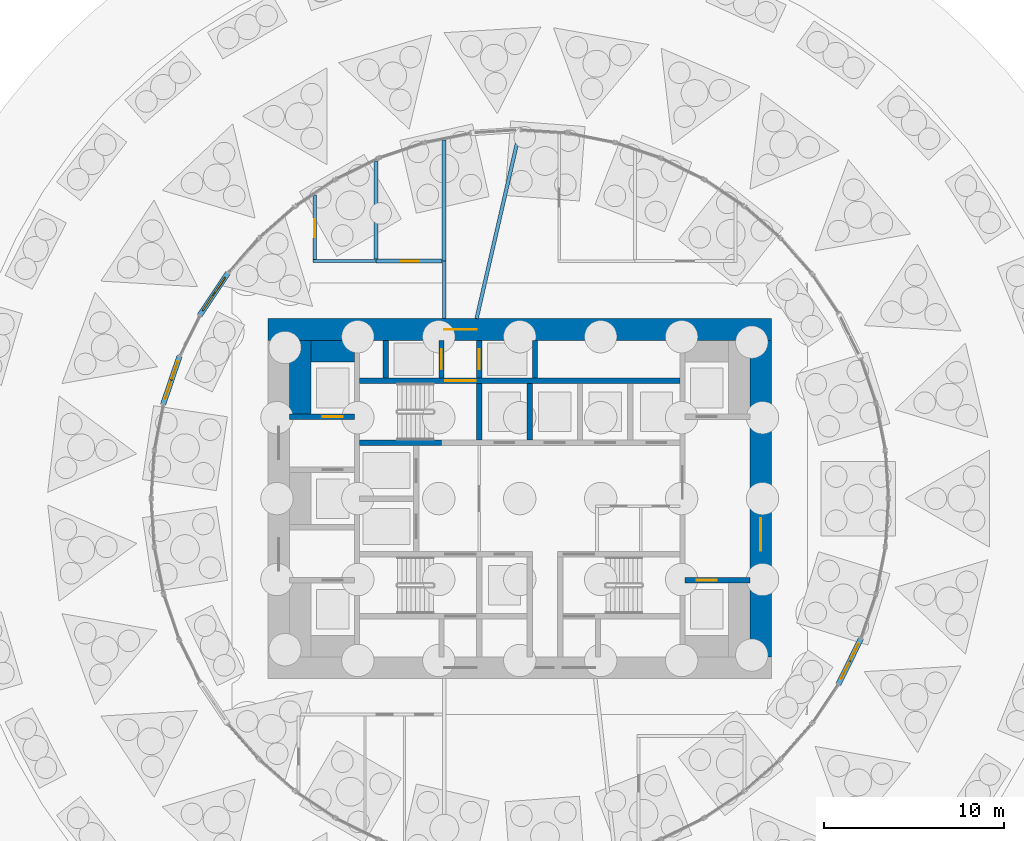
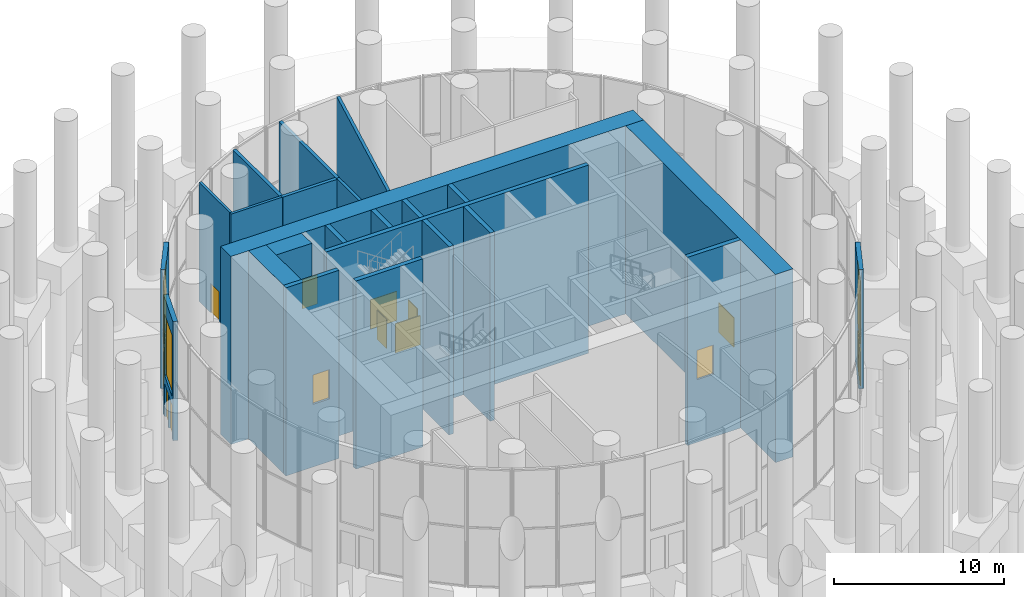
# One storey, part 14 of 20: 24 walls, 15 doors, 3 windows, 18 openings.
"""IFC4 building model written with IfcOpenShell, lengths in metres."""

from ifc_helpers import new_model, si_unit, direction, frame, frame_2d, origin, place, context, subcontext, project, spatial, rectangle, extrude, material, layer, layer_set, type_object, element, fill, save


model = new_model("IFC4")

# Units and contexts
model_context = context("Model", 3, precision=1e-05, world=origin(), true_north=direction((0.0, 1.0)))
body_context = subcontext(model_context, "Body", "Model", "MODEL_VIEW")
ifc_project = project(units=[si_unit("LENGTHUNIT", "METRE"), si_unit("AREAUNIT", "SQUARE_METRE"), si_unit("VOLUMEUNIT", "CUBIC_METRE"), si_unit("PLANEANGLEUNIT", "RADIAN"), si_unit("MASSUNIT", "GRAM", prefix="KILO")], contexts=[model_context])

# Site, building, storey
site_placement = place(None, origin())
site = spatial("IfcSite", under=ifc_project, at=site_placement, CompositionType="ELEMENT")
building_placement = place(site_placement, origin())
building = spatial("IfcBuilding", under=site, at=building_placement, Name="Tracery Tower", CompositionType="ELEMENT")
storey_placement = place(building_placement, origin())
storey = spatial("IfcBuildingStorey", under=building, at=storey_placement, Name="L00", CompositionType="ELEMENT", Elevation=0.0)

# Wall, opening, door
ifc_material_1 = material(Name="Plasterboard on steel studs", Category="steel")
ifc_layer_1 = layer(ifc_material_1, 0.175048828125)
ifc_layer_set_1 = layer_set([ifc_layer_1], Name="Compartment partition 175")
wall_type_1 = type_object("IfcWallType", Name="Compartment partition 175", PredefinedType="PARTITIONING", material=ifc_layer_set_1)
wall_1_placement = place(storey_placement, frame((-11.39990234375, 16.88720703125, 0.0), z_axis=(0.0, 0.0, 1.0), x_axis=(0.0, -1.0, 0.0)))
wall_1 = element("IfcWall", 1, at=wall_1_placement, inside=storey, type_object=wall_type_1, Name="Compartment partition 175", PredefinedType="PARTITIONING", context=body_context, shape_type="SweptSolid", body=[
    extrude(rectangle(XDim=3.599609375, YDim=0.175048828125, at=frame_2d((1.7998046875, 0.0))), origin(), (0.0, 0.0, 1.0), 8.550048828125),
])
opening_1_placement = place(wall_1_placement, frame((1.34375, 0.0, 0.0)))
opening_1 = element("IfcOpeningElement", 2, at=opening_1_placement, cuts=wall_1, Name="Opening SB-L00-05", PredefinedType="OPENING", context=body_context, shape_type="SweptSolid", body=[
    extrude(rectangle(XDim=1.0, YDim=2.10009765625, at=frame_2d((0.5, 1.050048828125))), frame((0.0, 0.08740234375, 0.0), z_axis=(0.0, -1.0, 0.0), x_axis=(1.0, 0.0, 0.0)), (0.0, 0.0, 1.0), 0.175048828125),
])
ifc_material_2 = material(Name="Timber door leaf", Category="wood")
door_type_1 = type_object("IfcDoorType", Name="Public room door 1000", OperationType="NOTDEFINED", PredefinedType="DOOR", material=ifc_material_2)
door_1_placement = place(opening_1_placement, origin())
door_1 = element("IfcDoor", 3, at=door_1_placement, inside=storey, type_object=door_type_1, Name="Public room door 1000", OperationType="SINGLE_SWING_RIGHT", OverallHeight=2.10009765625, OverallWidth=1.0, PredefinedType="DOOR", context=body_context, shape_type="SweptSolid", body=[
    extrude(rectangle(XDim=1.0, YDim=2.10009765625, at=frame_2d((0.5, 1.050048828125))), frame((0.0, 0.02490234375, 0.0), z_axis=(0.0, -1.0, 0.0), x_axis=(1.0, 0.0, 0.0)), (0.0, 0.0, 1.0), 0.050048828125),
])
fill(opening_1, door_1)

# Walls
wall_2_placement = place(storey_placement, frame((-8.0, 13.199951171875, 0.0), z_axis=(0.0, 0.0, 1.0), x_axis=(-1.0, 0.0, 0.0)))
element("IfcWall", 4, at=wall_2_placement, inside=storey, type_object=wall_type_1, Name="Compartment partition 175", PredefinedType="PARTITIONING", context=body_context, shape_type="SweptSolid", body=[
    extrude(rectangle(XDim=3.487548828125, YDim=0.175048828125, at=frame_2d((1.74365234375, 0.0))), origin(), (0.0, 0.0, 1.0), 8.550048828125),
])
ifc_material_3 = material(Name="Concrete C60/75", Category="concrete")
ifc_layer_2 = layer(ifc_material_3, 1.199951171875)
ifc_layer_set_2 = layer_set([ifc_layer_2], Name="Core strip wall 1200 C60 from pit")
wall_type_2 = type_object("IfcWallType", Name="Core strip wall 1200 C60 from pit", PredefinedType="SOLIDWALL", material=ifc_layer_set_2)
wall_3_placement = place(storey_placement, frame((-12.199951171875, 4.699951171875, -4.5), z_axis=(0.0, 0.0, 1.0), x_axis=(0.0, 1.0, 0.0)))
element("IfcWall", 5, at=wall_3_placement, inside=storey, type_object=wall_type_2, Name="L00 wing strip -1 4.55", PredefinedType="SOLIDWALL", context=body_context, shape_type="SweptSolid", body=[
    extrude(rectangle(XDim=4.10009765625, YDim=1.199951171875, at=frame_2d((2.050048828125, 0.0))), origin(), (0.0, 0.0, 1.0), 13.5),
])
wall_4_placement = place(storey_placement, frame((-11.60009765625, 8.199951171875, -4.5), z_axis=(0.0, 0.0, 1.0), x_axis=(1.0, 0.0, 0.0)))
element("IfcWall", 6, at=wall_4_placement, inside=storey, type_object=wall_type_2, Name="L00 wing corner -1 +8.2", PredefinedType="SOLIDWALL", context=body_context, shape_type="SweptSolid", body=[
    extrude(rectangle(XDim=2.400146484375, YDim=1.199951171875, at=frame_2d((1.2001953125, 0.0))), origin(), (0.0, 0.0, 1.0), 13.5),
])

# Wall, opening, door
ifc_material_4 = material(Name="Concrete C60/75", Category="concrete")
ifc_layer_3 = layer(ifc_material_4, 1.199951171875)
ifc_layer_set_3 = layer_set([ifc_layer_3], Name="Core wall 1200 C60 from pit")
wall_type_3 = type_object("IfcWallType", Name="Core wall 1200 C60 from pit", PredefinedType="SOLIDWALL", material=ifc_layer_set_3)
wall_5_placement = place(storey_placement, frame((-14.0, 9.39990234375, -4.5), z_axis=(0.0, 0.0, 1.0), x_axis=(1.0, 0.0, 0.0)))
wall_5 = element("IfcWall", 7, at=wall_5_placement, inside=storey, type_object=wall_type_3, Name="L00 outer N", PredefinedType="SOLIDWALL", context=body_context, shape_type="SweptSolid", body=[
    extrude(rectangle(XDim=28.0, YDim=1.199951171875, at=frame_2d((14.0, 0.0))), origin(), (0.0, 0.0, 1.0), 13.5),
])
opening_2_placement = place(wall_5_placement, frame((9.800048828125, 0.0, 4.5)))
opening_2 = element("IfcOpeningElement", 8, at=opening_2_placement, cuts=wall_5, Name="Opening KD13", PredefinedType="OPENING", context=body_context, shape_type="SweptSolid", body=[
    extrude(rectangle(XDim=1.800048828125, YDim=2.10009765625, at=frame_2d((0.89990234375, 1.050048828125))), frame((0.0, 0.60009765625, 0.0), z_axis=(0.0, -1.0, 0.0), x_axis=(1.0, 0.0, 0.0)), (0.0, 0.0, 1.0), 1.199951171875),
])
ifc_material_5 = material(Name="Steel fire door", Category="steel")
door_type_2 = type_object("IfcDoorType", Name="Core exit door 1800 double", OperationType="NOTDEFINED", PredefinedType="DOOR", material=ifc_material_5)
door_2_placement = place(opening_2_placement, origin())
door_2 = element("IfcDoor", 9, at=door_2_placement, inside=storey, type_object=door_type_2, Name="Core exit door", OperationType="DOUBLE_DOOR_SINGLE_SWING", OverallHeight=2.10009765625, OverallWidth=1.800048828125, PredefinedType="DOOR", context=body_context, shape_type="SweptSolid", body=[
    extrude(rectangle(XDim=1.800048828125, YDim=2.10009765625, at=frame_2d((0.89990234375, 1.050048828125))), frame((0.0, 0.02490234375, 0.0), z_axis=(0.0, -1.0, 0.0), x_axis=(1.0, 0.0, 0.0)), (0.0, 0.0, 1.0), 0.050048828125),
])
fill(opening_2, door_2)

wall_6_placement = place(storey_placement, frame((13.39990234375, -8.800048828125, -4.5), z_axis=(0.0, 0.0, 1.0), x_axis=(0.0, 1.0, 0.0)))
wall_6 = element("IfcWall", 10, at=wall_6_placement, inside=storey, type_object=wall_type_3, Name="L00 outer E", PredefinedType="SOLIDWALL", context=body_context, shape_type="SweptSolid", body=[
    extrude(rectangle(XDim=17.60009765625, YDim=1.199951171875, at=frame_2d((8.800048828125, 0.0))), origin(), (0.0, 0.0, 1.0), 13.5),
])
opening_3_placement = place(wall_6_placement, frame((5.89990234375, 0.0, 4.5)))
opening_3 = element("IfcOpeningElement", 11, at=opening_3_placement, cuts=wall_6, Name="Opening KD13", PredefinedType="OPENING", context=body_context, shape_type="SweptSolid", body=[
    extrude(rectangle(XDim=1.800048828125, YDim=2.10009765625, at=frame_2d((0.89990234375, 1.050048828125))), frame((0.0, 0.60009765625, 0.0), z_axis=(0.0, -1.0, 0.0), x_axis=(1.0, 0.0, 0.0)), (0.0, 0.0, 1.0), 1.199951171875),
])
door_3_placement = place(opening_3_placement, origin())
door_3 = element("IfcDoor", 12, at=door_3_placement, inside=storey, type_object=door_type_2, Name="Core exit door", OperationType="DOUBLE_DOOR_SINGLE_SWING", OverallHeight=2.10009765625, OverallWidth=1.800048828125, PredefinedType="DOOR", context=body_context, shape_type="SweptSolid", body=[
    extrude(rectangle(XDim=1.800048828125, YDim=2.10009765625, at=frame_2d((0.89990234375, 1.050048828125))), frame((0.0, 0.02490234375, 0.0), z_axis=(0.0, -1.0, 0.0), x_axis=(1.0, 0.0, 0.0)), (0.0, 0.0, 1.0), 0.050048828125),
])
fill(opening_3, door_3)

# Wall, openings, window, doors
ifc_material_6 = material(Name="Precast concrete C50/60", Category="concrete")
ifc_layer_4 = layer(ifc_material_6, 0.300048828125)
ifc_layer_set_4 = layer_set([ifc_layer_4], Name="Entrance portal wall 300")
wall_type_4 = type_object("IfcWallType", Name="Entrance portal wall 300", PredefinedType="STANDARD", material=ifc_layer_set_4)
wall_7_placement = place(storey_placement, frame((-16.22216796875, 12.5419921875, 0.0), z_axis=(0.0, 0.0, 1.0), x_axis=(-0.555515703824, -0.83150604496, 0.0)))
wall_7 = element("IfcWall", 13, at=wall_7_placement, inside=storey, type_object=wall_type_4, Name="Entrance portal 3", PredefinedType="STANDARD", context=body_context, shape_type="SweptSolid", body=[
    extrude(rectangle(XDim=2.83154296875, YDim=0.300048828125, at=frame_2d((1.415771484375, 0.0))), origin(), (0.0, 0.0, 1.0), 8.550048828125),
])
opening_4_placement = place(wall_7_placement, frame((0.31591796875, 0.0, 0.0)))
opening_4 = element("IfcOpeningElement", 14, at=opening_4_placement, cuts=wall_7, Name="Opening ED905", PredefinedType="OPENING", context=body_context, shape_type="SweptSolid", body=[
    extrude(rectangle(XDim=1.0, YDim=2.39990234375, at=frame_2d((0.5, 1.199951171875))), frame((0.0, 0.14990234375, 0.0), z_axis=(0.0, -1.0, 0.0), x_axis=(1.0, 0.0, 0.0)), (0.0, 0.0, 1.0), 0.300048828125),
])
opening_5_placement = place(wall_7_placement, frame((1.515869140625, 0.0, 0.0)))
opening_5 = element("IfcOpeningElement", 15, at=opening_5_placement, cuts=wall_7, Name="Opening ED906", PredefinedType="OPENING", context=body_context, shape_type="SweptSolid", body=[
    extrude(rectangle(XDim=1.0, YDim=2.39990234375, at=frame_2d((0.5, 1.199951171875))), frame((0.0, 0.14990234375, 0.0), z_axis=(0.0, -1.0, 0.0), x_axis=(1.0, 0.0, 0.0)), (0.0, 0.0, 1.0), 0.300048828125),
])
opening_6_placement = place(wall_7_placement, frame((0.31591796875, 0.0, 3.0)))
opening_6 = element("IfcOpeningElement", 16, at=opening_6_placement, cuts=wall_7, Name="Opening EW803", PredefinedType="OPENING", context=body_context, shape_type="SweptSolid", body=[
    extrude(rectangle(XDim=2.199951171875, YDim=4.39990234375, at=frame_2d((1.10009765625, 2.199951171875))), frame((0.0, 0.14990234375, 0.0), z_axis=(0.0, -1.0, 0.0), x_axis=(1.0, 0.0, 0.0)), (0.0, 0.0, 1.0), 0.300048828125),
])
ifc_material_7 = material(Name="Aluminium frame with tinted double glazing", Category="aluminium")
window_type = type_object("IfcWindowType", Name="Entrance fanlight 2200 x 4400", PartitioningType="SINGLE_PANEL", PredefinedType="WINDOW", material=ifc_material_7)
window_1_placement = place(opening_6_placement, origin())
window_1 = element("IfcWindow", 17, at=window_1_placement, inside=storey, type_object=window_type, Name="Entrance fanlight EW803", OverallHeight=4.39990234375, OverallWidth=2.199951171875, PartitioningType="SINGLE_PANEL", PredefinedType="WINDOW", context=body_context, shape_type="SweptSolid", body=[
    extrude(rectangle(XDim=2.199951171875, YDim=4.39990234375, at=frame_2d((1.10009765625, 2.199951171875))), frame((0.0, 0.030029296875, 0.0), z_axis=(0.0, -1.0, 0.0), x_axis=(1.0, 0.0, 0.0)), (0.0, 0.0, 1.0), 0.06005859375),
])
fill(opening_6, window_1)
ifc_material_8 = material(Name="Glazed aluminium door", Category="aluminium")
door_type_3 = type_object("IfcDoorType", Name="Pavilion entrance door 1000 x 2400", OperationType="NOTDEFINED", PredefinedType="DOOR", material=ifc_material_8)
door_4_placement = place(opening_4_placement, origin())
door_4 = element("IfcDoor", 18, at=door_4_placement, inside=storey, type_object=door_type_3, Name="Entrance door ED905", OperationType="SLIDING_TO_LEFT", OverallHeight=2.39990234375, OverallWidth=1.0, PredefinedType="DOOR", context=body_context, shape_type="SweptSolid", body=[
    extrude(rectangle(XDim=1.0, YDim=2.39990234375, at=frame_2d((0.5, 1.199951171875))), frame((0.0, 0.02490234375, 0.0), z_axis=(0.0, -1.0, 0.0), x_axis=(1.0, 0.0, 0.0)), (0.0, 0.0, 1.0), 0.050048828125),
])
fill(opening_4, door_4)
door_5_placement = place(opening_5_placement, origin())
door_5 = element("IfcDoor", 19, at=door_5_placement, inside=storey, type_object=door_type_3, Name="Entrance door ED906", OperationType="SLIDING_TO_RIGHT", OverallHeight=2.39990234375, OverallWidth=1.0, PredefinedType="DOOR", context=body_context, shape_type="SweptSolid", body=[
    extrude(rectangle(XDim=1.0, YDim=2.39990234375, at=frame_2d((0.5, 1.199951171875))), frame((0.0, 0.02490234375, 0.0), z_axis=(0.0, -1.0, 0.0), x_axis=(1.0, 0.0, 0.0)), (0.0, 0.0, 1.0), 0.050048828125),
])
fill(opening_5, door_5)

wall_8_placement = place(storey_placement, frame((-18.915283203125, 7.916015625, 0.0), z_axis=(0.0, 0.0, 1.0), x_axis=(-0.321525540069, -0.946900906686, 0.0)))
wall_8 = element("IfcWall", 20, at=wall_8_placement, inside=storey, type_object=wall_type_4, Name="Entrance portal 4", PredefinedType="STANDARD", context=body_context, shape_type="SweptSolid", body=[
    extrude(rectangle(XDim=2.83154296875, YDim=0.300048828125, at=frame_2d((1.415771484375, 0.0))), origin(), (0.0, 0.0, 1.0), 8.550048828125),
])
opening_7_placement = place(wall_8_placement, frame((0.31591796875, 0.0, 0.0)))
opening_7 = element("IfcOpeningElement", 21, at=opening_7_placement, cuts=wall_8, Name="Opening ED907", PredefinedType="OPENING", context=body_context, shape_type="SweptSolid", body=[
    extrude(rectangle(XDim=1.0, YDim=2.39990234375, at=frame_2d((0.5, 1.199951171875))), frame((0.0, 0.14990234375, 0.0), z_axis=(0.0, -1.0, 0.0), x_axis=(1.0, 0.0, 0.0)), (0.0, 0.0, 1.0), 0.300048828125),
])
opening_8_placement = place(wall_8_placement, frame((1.515869140625, 0.0, 0.0)))
opening_8 = element("IfcOpeningElement", 22, at=opening_8_placement, cuts=wall_8, Name="Opening ED908", PredefinedType="OPENING", context=body_context, shape_type="SweptSolid", body=[
    extrude(rectangle(XDim=1.0, YDim=2.39990234375, at=frame_2d((0.5, 1.199951171875))), frame((0.0, 0.14990234375, 0.0), z_axis=(0.0, -1.0, 0.0), x_axis=(1.0, 0.0, 0.0)), (0.0, 0.0, 1.0), 0.300048828125),
])
opening_9_placement = place(wall_8_placement, frame((0.31591796875, 0.0, 3.0)))
opening_9 = element("IfcOpeningElement", 23, at=opening_9_placement, cuts=wall_8, Name="Opening EW804", PredefinedType="OPENING", context=body_context, shape_type="SweptSolid", body=[
    extrude(rectangle(XDim=2.199951171875, YDim=4.39990234375, at=frame_2d((1.10009765625, 2.199951171875))), frame((0.0, 0.14990234375, 0.0), z_axis=(0.0, -1.0, 0.0), x_axis=(1.0, 0.0, 0.0)), (0.0, 0.0, 1.0), 0.300048828125),
])
window_2_placement = place(opening_9_placement, origin())
window_2 = element("IfcWindow", 24, at=window_2_placement, inside=storey, type_object=window_type, Name="Entrance fanlight EW804", OverallHeight=4.39990234375, OverallWidth=2.199951171875, PartitioningType="SINGLE_PANEL", PredefinedType="WINDOW", context=body_context, shape_type="SweptSolid", body=[
    extrude(rectangle(XDim=2.199951171875, YDim=4.39990234375, at=frame_2d((1.10009765625, 2.199951171875))), frame((0.0, 0.030029296875, 0.0), z_axis=(0.0, -1.0, 0.0), x_axis=(1.0, 0.0, 0.0)), (0.0, 0.0, 1.0), 0.06005859375),
])
fill(opening_9, window_2)
door_6_placement = place(opening_7_placement, origin())
door_6 = element("IfcDoor", 25, at=door_6_placement, inside=storey, type_object=door_type_3, Name="Entrance door ED907", OperationType="SLIDING_TO_LEFT", OverallHeight=2.39990234375, OverallWidth=1.0, PredefinedType="DOOR", context=body_context, shape_type="SweptSolid", body=[
    extrude(rectangle(XDim=1.0, YDim=2.39990234375, at=frame_2d((0.5, 1.199951171875))), frame((0.0, 0.02490234375, 0.0), z_axis=(0.0, -1.0, 0.0), x_axis=(1.0, 0.0, 0.0)), (0.0, 0.0, 1.0), 0.050048828125),
])
fill(opening_7, door_6)
door_7_placement = place(opening_8_placement, origin())
door_7 = element("IfcDoor", 26, at=door_7_placement, inside=storey, type_object=door_type_3, Name="Entrance door ED908", OperationType="SLIDING_TO_RIGHT", OverallHeight=2.39990234375, OverallWidth=1.0, PredefinedType="DOOR", context=body_context, shape_type="SweptSolid", body=[
    extrude(rectangle(XDim=1.0, YDim=2.39990234375, at=frame_2d((0.5, 1.199951171875))), frame((0.0, 0.02490234375, 0.0), z_axis=(0.0, -1.0, 0.0), x_axis=(1.0, 0.0, 0.0)), (0.0, 0.0, 1.0), 0.050048828125),
])
fill(opening_8, door_7)

wall_9_placement = place(storey_placement, frame((17.72021484375, -10.3173828125, 0.0), z_axis=(0.0, 0.0, 1.0), x_axis=(0.442275384482, 0.896879303073, 0.0)))
wall_9 = element("IfcWall", 27, at=wall_9_placement, inside=storey, type_object=wall_type_4, Name="Entrance portal 8", PredefinedType="STANDARD", context=body_context, shape_type="SweptSolid", body=[
    extrude(rectangle(XDim=2.831787109375, YDim=0.300048828125, at=frame_2d((1.416015625, 0.0))), origin(), (0.0, 0.0, 1.0), 8.550048828125),
])
opening_10_placement = place(wall_9_placement, frame((0.31591796875, 0.0, 0.0)))
opening_10 = element("IfcOpeningElement", 28, at=opening_10_placement, cuts=wall_9, Name="Opening ED915", PredefinedType="OPENING", context=body_context, shape_type="SweptSolid", body=[
    extrude(rectangle(XDim=1.0, YDim=2.39990234375, at=frame_2d((0.5, 1.199951171875))), frame((0.0, 0.14990234375, 0.0), z_axis=(0.0, -1.0, 0.0), x_axis=(1.0, 0.0, 0.0)), (0.0, 0.0, 1.0), 0.300048828125),
])
opening_11_placement = place(wall_9_placement, frame((1.515869140625, 0.0, 0.0)))
opening_11 = element("IfcOpeningElement", 29, at=opening_11_placement, cuts=wall_9, Name="Opening ED916", PredefinedType="OPENING", context=body_context, shape_type="SweptSolid", body=[
    extrude(rectangle(XDim=1.0, YDim=2.39990234375, at=frame_2d((0.5, 1.199951171875))), frame((0.0, 0.14990234375, 0.0), z_axis=(0.0, -1.0, 0.0), x_axis=(1.0, 0.0, 0.0)), (0.0, 0.0, 1.0), 0.300048828125),
])
opening_12_placement = place(wall_9_placement, frame((0.31591796875, 0.0, 3.0)))
opening_12 = element("IfcOpeningElement", 30, at=opening_12_placement, cuts=wall_9, Name="Opening EW808", PredefinedType="OPENING", context=body_context, shape_type="SweptSolid", body=[
    extrude(rectangle(XDim=2.199951171875, YDim=4.39990234375, at=frame_2d((1.10009765625, 2.199951171875))), frame((0.0, 0.14990234375, 0.0), z_axis=(0.0, -1.0, 0.0), x_axis=(1.0, 0.0, 0.0)), (0.0, 0.0, 1.0), 0.300048828125),
])
window_3_placement = place(opening_12_placement, origin())
window_3 = element("IfcWindow", 31, at=window_3_placement, inside=storey, type_object=window_type, Name="Entrance fanlight EW808", OverallHeight=4.39990234375, OverallWidth=2.199951171875, PartitioningType="SINGLE_PANEL", PredefinedType="WINDOW", context=body_context, shape_type="SweptSolid", body=[
    extrude(rectangle(XDim=2.199951171875, YDim=4.39990234375, at=frame_2d((1.10009765625, 2.199951171875))), frame((0.0, 0.030029296875, 0.0), z_axis=(0.0, -1.0, 0.0), x_axis=(1.0, 0.0, 0.0)), (0.0, 0.0, 1.0), 0.06005859375),
])
fill(opening_12, window_3)
door_8_placement = place(opening_10_placement, origin())
door_8 = element("IfcDoor", 32, at=door_8_placement, inside=storey, type_object=door_type_3, Name="Entrance door ED915", OperationType="SLIDING_TO_LEFT", OverallHeight=2.39990234375, OverallWidth=1.0, PredefinedType="DOOR", context=body_context, shape_type="SweptSolid", body=[
    extrude(rectangle(XDim=1.0, YDim=2.39990234375, at=frame_2d((0.5, 1.199951171875))), frame((0.0, 0.02490234375, 0.0), z_axis=(0.0, -1.0, 0.0), x_axis=(1.0, 0.0, 0.0)), (0.0, 0.0, 1.0), 0.050048828125),
])
fill(opening_10, door_8)
door_9_placement = place(opening_11_placement, origin())
door_9 = element("IfcDoor", 33, at=door_9_placement, inside=storey, type_object=door_type_3, Name="Entrance door ED916", OperationType="SLIDING_TO_RIGHT", OverallHeight=2.39990234375, OverallWidth=1.0, PredefinedType="DOOR", context=body_context, shape_type="SweptSolid", body=[
    extrude(rectangle(XDim=1.0, YDim=2.39990234375, at=frame_2d((0.5, 1.199951171875))), frame((0.0, 0.02490234375, 0.0), z_axis=(0.0, -1.0, 0.0), x_axis=(1.0, 0.0, 0.0)), (0.0, 0.0, 1.0), 0.050048828125),
])
fill(opening_11, door_9)

# Walls
ifc_material_9 = material(Name="Concrete blockwork", Category="masonry")
ifc_layer_5 = layer(ifc_material_9, 0.199951171875)
ifc_layer_set_5 = layer_set([ifc_layer_5], Name="Fire lobby wall 200")
wall_type_5 = type_object("IfcWallType", Name="Fire lobby wall 200", PredefinedType="PARTITIONING", material=ifc_layer_set_5)
wall_10_placement = place(storey_placement, frame((-4.199951171875, 13.199951171875, 0.0), z_axis=(0.0, 0.0, 1.0), x_axis=(0.0, -1.0, 0.0)))
element("IfcWall", 34, at=wall_10_placement, inside=storey, type_object=wall_type_5, Name="Fire lobby wall 200", PredefinedType="PARTITIONING", context=body_context, shape_type="SweptSolid", body=[
    extrude(rectangle(XDim=3.198486328125, YDim=0.199951171875, at=frame_2d((1.59912109375, 0.0))), origin(), (0.0, 0.0, 1.0), 8.550048828125),
])
wall_11_placement = place(storey_placement, frame((-2.399658203125, 10.00146484375, 0.0), z_axis=(0.0, 0.0, 1.0), x_axis=(0.224450884052, 0.974485402994, 0.0)))
element("IfcWall", 35, at=wall_11_placement, inside=storey, type_object=wall_type_5, Name="Fire lobby wall 200", PredefinedType="PARTITIONING", context=body_context, shape_type="SweptSolid", body=[
    extrude(rectangle(XDim=10.691162109375, YDim=0.199951171875, at=frame_2d((5.345703125, 0.0))), origin(), (0.0, 0.0, 1.0), 8.550048828125),
])
ifc_material_10 = material(Name="Concrete blockwork", Category="masonry")
ifc_layer_6 = layer(ifc_material_10, 0.22509765625)
ifc_layer_set_6 = layer_set([ifc_layer_6], Name="Plant room block wall 225")
wall_type_6 = type_object("IfcWallType", Name="Plant room block wall 225", PredefinedType="PARTITIONING", material=ifc_layer_set_6)
wall_12_placement = place(storey_placement, frame((-8.0, 18.7724609375, 0.0), z_axis=(0.0, 0.0, 1.0), x_axis=(0.0, -1.0, 0.0)))
element("IfcWall", 36, at=wall_12_placement, inside=storey, type_object=wall_type_6, Name="Plant room block wall 225", PredefinedType="PARTITIONING", context=body_context, shape_type="SweptSolid", body=[
    extrude(rectangle(XDim=5.4599609375, YDim=0.22509765625, at=frame_2d((2.72998046875, 0.0))), origin(), (0.0, 0.0, 1.0), 8.550048828125),
])

# Wall, opening, door
wall_13_placement = place(storey_placement, frame((-8.0, 13.199951171875, 0.0), z_axis=(0.0, 0.0, 1.0), x_axis=(1.0, 0.0, 0.0)))
wall_13 = element("IfcWall", 37, at=wall_13_placement, inside=storey, type_object=wall_type_6, Name="Plant room block wall 225", PredefinedType="PARTITIONING", context=body_context, shape_type="SweptSolid", body=[
    extrude(rectangle(XDim=3.6875, YDim=0.22509765625, at=frame_2d((1.84375, 0.0))), origin(), (0.0, 0.0, 1.0), 8.550048828125),
])
opening_13_placement = place(wall_13_placement, frame((1.39990234375, 0.0, 0.0)))
opening_13 = element("IfcOpeningElement", 38, at=opening_13_placement, cuts=wall_13, Name="Opening SB-L00-02", PredefinedType="OPENING", context=body_context, shape_type="SweptSolid", body=[
    extrude(rectangle(XDim=1.0, YDim=2.10009765625, at=frame_2d((0.5, 1.050048828125))), frame((0.0, 0.112548828125, 0.0), z_axis=(0.0, -1.0, 0.0), x_axis=(1.0, 0.0, 0.0)), (0.0, 0.0, 1.0), 0.22509765625),
])
ifc_material_11 = material(Name="Steel fire door", Category="steel")
door_type_4 = type_object("IfcDoorType", Name="Plant room door 1000", OperationType="NOTDEFINED", PredefinedType="DOOR", material=ifc_material_11)
door_10_placement = place(opening_13_placement, origin())
door_10 = element("IfcDoor", 39, at=door_10_placement, inside=storey, type_object=door_type_4, Name="Plant room door 1000", OperationType="SINGLE_SWING_RIGHT", OverallHeight=2.10009765625, OverallWidth=1.0, PredefinedType="DOOR", context=body_context, shape_type="SweptSolid", body=[
    extrude(rectangle(XDim=1.0, YDim=2.10009765625, at=frame_2d((0.5, 1.050048828125))), frame((0.0, 0.02490234375, 0.0), z_axis=(0.0, -1.0, 0.0), x_axis=(1.0, 0.0, 0.0)), (0.0, 0.0, 1.0), 0.050048828125),
])
fill(opening_13, door_10)

# Walls
wall_14_placement = place(storey_placement, frame((-4.199951171875, 19.9384765625, 0.0), z_axis=(0.0, 0.0, 1.0), x_axis=(0.0, -1.0, 0.0)))
element("IfcWall", 40, at=wall_14_placement, inside=storey, type_object=wall_type_6, Name="Plant room block wall 225", PredefinedType="PARTITIONING", context=body_context, shape_type="SweptSolid", body=[
    extrude(rectangle(XDim=6.738525390625, YDim=0.22509765625, at=frame_2d((3.369140625, 0.0))), origin(), (0.0, 0.0, 1.0), 8.550048828125),
])
ifc_material_12 = material(Name="Concrete C60/75", Category="concrete")
ifc_layer_7 = layer(ifc_material_12, 0.300048828125)
ifc_layer_set_7 = layer_set([ifc_layer_7], Name="Shaft wall 300 C60 from pit")
wall_type_7 = type_object("IfcWallType", Name="Shaft wall 300 C60 from pit", PredefinedType="SOLIDWALL", material=ifc_layer_set_7)
wall_15_placement = place(storey_placement, frame((0.550048828125, 3.25, -4.5), z_axis=(0.0, 0.0, 1.0), x_axis=(0.0, 1.0, 0.0)))
element("IfcWall", 41, at=wall_15_placement, inside=storey, type_object=wall_type_7, Name="L00 HR sep 1", PredefinedType="SOLIDWALL", context=body_context, shape_type="SweptSolid", body=[
    extrude(rectangle(XDim=3.14990234375, YDim=0.300048828125, at=frame_2d((1.574951171875, 0.0))), origin(), (0.0, 0.0, 1.0), 13.5),
])
wall_16_placement = place(storey_placement, frame((-7.449951171875, 6.699951171875, -4.5), z_axis=(0.0, 0.0, 1.0), x_axis=(0.0, 1.0, 0.0)))
element("IfcWall", 42, at=wall_16_placement, inside=storey, type_object=wall_type_7, Name="L00 LR sep -7.45", PredefinedType="SOLIDWALL", context=body_context, shape_type="SweptSolid", body=[
    extrude(rectangle(XDim=2.10009765625, YDim=0.300048828125, at=frame_2d((1.050048828125, 0.0))), origin(), (0.0, 0.0, 1.0), 13.5),
])

# Wall, opening, door
wall_17_placement = place(storey_placement, frame((-4.35009765625, 6.699951171875, -4.5), z_axis=(0.0, 0.0, 1.0), x_axis=(0.0, 1.0, 0.0)))
wall_17 = element("IfcWall", 43, at=wall_17_placement, inside=storey, type_object=wall_type_7, Name="L00 LR sep -4.35", PredefinedType="SOLIDWALL", context=body_context, shape_type="SweptSolid", body=[
    extrude(rectangle(XDim=2.10009765625, YDim=0.300048828125, at=frame_2d((1.050048828125, 0.0))), origin(), (0.0, 0.0, 1.0), 13.5),
])
opening_14_placement = place(wall_17_placement, frame((0.5, 0.0, 4.5)))
opening_14 = element("IfcOpeningElement", 44, at=opening_14_placement, cuts=wall_17, Name="Opening KD50", PredefinedType="OPENING", context=body_context, shape_type="SweptSolid", body=[
    extrude(rectangle(XDim=1.10009765625, YDim=2.10009765625, at=frame_2d((0.550048828125, 1.050048828125))), frame((0.0, 0.14990234375, 0.0), z_axis=(0.0, -1.0, 0.0), x_axis=(1.0, 0.0, 0.0)), (0.0, 0.0, 1.0), 0.300048828125),
])
ifc_material_13 = material(Name="Steel fire door", Category="steel")
door_type_5 = type_object("IfcDoorType", Name="Landing door 1100", OperationType="NOTDEFINED", PredefinedType="DOOR", material=ifc_material_13)
door_11_placement = place(opening_14_placement, origin())
door_11 = element("IfcDoor", 45, at=door_11_placement, inside=storey, type_object=door_type_5, Name="Landing door LR3", OperationType="SLIDING_TO_RIGHT", OverallHeight=2.10009765625, OverallWidth=1.10009765625, PredefinedType="DOOR", context=body_context, shape_type="SweptSolid", body=[
    extrude(rectangle(XDim=1.10009765625, YDim=2.10009765625, at=frame_2d((0.550048828125, 1.050048828125))), frame((0.0, 0.02490234375, 0.0), z_axis=(0.0, -1.0, 0.0), x_axis=(1.0, 0.0, 0.0)), (0.0, 0.0, 1.0), 0.050048828125),
])
fill(opening_14, door_11)

# Wall
wall_18_placement = place(storey_placement, frame((0.85009765625, 6.699951171875, -4.5), z_axis=(0.0, 0.0, 1.0), x_axis=(0.0, 1.0, 0.0)))
element("IfcWall", 46, at=wall_18_placement, inside=storey, type_object=wall_type_7, Name="L00 LR sep 0.85", PredefinedType="SOLIDWALL", context=body_context, shape_type="SweptSolid", body=[
    extrude(rectangle(XDim=2.10009765625, YDim=0.300048828125, at=frame_2d((1.050048828125, 0.0))), origin(), (0.0, 0.0, 1.0), 13.5),
])

# Wall, opening, door
wall_19_placement = place(storey_placement, frame((-12.800048828125, 4.550048828125, -4.5), z_axis=(0.0, 0.0, 1.0), x_axis=(1.0, 0.0, 0.0)))
wall_19 = element("IfcWall", 47, at=wall_19_placement, inside=storey, type_object=wall_type_7, Name="L00 wing shaft wall -1 +4.55", PredefinedType="SOLIDWALL", context=body_context, shape_type="SweptSolid", body=[
    extrude(rectangle(XDim=3.60009765625, YDim=0.300048828125, at=frame_2d((1.800048828125, 0.0))), origin(), (0.0, 0.0, 1.0), 13.5),
])
opening_15_placement = place(wall_19_placement, frame((1.85009765625, 0.0, 4.5)))
opening_15 = element("IfcOpeningElement", 48, at=opening_15_placement, cuts=wall_19, Name="Opening KD49", PredefinedType="OPENING", context=body_context, shape_type="SweptSolid", body=[
    extrude(rectangle(XDim=1.10009765625, YDim=2.10009765625, at=frame_2d((0.550048828125, 1.050048828125))), frame((0.0, 0.14990234375, 0.0), z_axis=(0.0, -1.0, 0.0), x_axis=(1.0, 0.0, 0.0)), (0.0, 0.0, 1.0), 0.300048828125),
])
door_12_placement = place(opening_15_placement, origin())
door_12 = element("IfcDoor", 49, at=door_12_placement, inside=storey, type_object=door_type_5, Name="Landing door MR2", OperationType="SLIDING_TO_LEFT", OverallHeight=2.10009765625, OverallWidth=1.10009765625, PredefinedType="DOOR", context=body_context, shape_type="SweptSolid", body=[
    extrude(rectangle(XDim=1.10009765625, YDim=2.10009765625, at=frame_2d((0.550048828125, 1.050048828125))), frame((0.0, 0.02490234375, 0.0), z_axis=(0.0, -1.0, 0.0), x_axis=(1.0, 0.0, 0.0)), (0.0, 0.0, 1.0), 0.050048828125),
])
fill(opening_15, door_12)

wall_20_placement = place(storey_placement, frame((9.199951171875, -4.550048828125, -4.5), z_axis=(0.0, 0.0, 1.0), x_axis=(1.0, 0.0, 0.0)))
wall_20 = element("IfcWall", 50, at=wall_20_placement, inside=storey, type_object=wall_type_7, Name="L00 wing shaft wall +1 -4.55", PredefinedType="SOLIDWALL", context=body_context, shape_type="SweptSolid", body=[
    extrude(rectangle(XDim=3.60009765625, YDim=0.300048828125, at=frame_2d((1.800048828125, 0.0))), origin(), (0.0, 0.0, 1.0), 13.5),
])
opening_16_placement = place(wall_20_placement, frame((0.64990234375, 0.0, 4.5)))
opening_16 = element("IfcOpeningElement", 51, at=opening_16_placement, cuts=wall_20, Name="Opening KD50", PredefinedType="OPENING", context=body_context, shape_type="SweptSolid", body=[
    extrude(rectangle(XDim=1.10009765625, YDim=2.10009765625, at=frame_2d((0.550048828125, 1.050048828125))), frame((0.0, 0.14990234375, 0.0), z_axis=(0.0, -1.0, 0.0), x_axis=(1.0, 0.0, 0.0)), (0.0, 0.0, 1.0), 0.300048828125),
])
door_13_placement = place(opening_16_placement, origin())
door_13 = element("IfcDoor", 52, at=door_13_placement, inside=storey, type_object=door_type_5, Name="Landing door MR3", OperationType="SLIDING_TO_RIGHT", OverallHeight=2.10009765625, OverallWidth=1.10009765625, PredefinedType="DOOR", context=body_context, shape_type="SweptSolid", body=[
    extrude(rectangle(XDim=1.10009765625, YDim=2.10009765625, at=frame_2d((0.550048828125, 1.050048828125))), frame((0.0, 0.02490234375, 0.0), z_axis=(0.0, -1.0, 0.0), x_axis=(1.0, 0.0, 0.0)), (0.0, 0.0, 1.0), 0.050048828125),
])
fill(opening_16, door_13)

# Walls
ifc_material_14 = material(Name="Concrete C60/75", Category="concrete")
ifc_layer_8 = layer(ifc_material_14, 0.300048828125)
ifc_layer_set_8 = layer_set([ifc_layer_8], Name="Stair wall 300 C60 from pit")
wall_type_8 = type_object("IfcWallType", Name="Stair wall 300 C60 from pit", PredefinedType="SOLIDWALL", material=ifc_layer_set_8)
wall_21_placement = place(storey_placement, frame((-8.89990234375, 3.10009765625, -4.5), z_axis=(0.0, 0.0, 1.0), x_axis=(1.0, 0.0, 0.0)))
element("IfcWall", 53, at=wall_21_placement, inside=storey, type_object=wall_type_8, Name="L00 row N W", PredefinedType="SOLIDWALL", context=body_context, shape_type="SweptSolid", body=[
    extrude(rectangle(XDim=4.5498046875, YDim=0.300048828125, at=frame_2d((2.27490234375, 0.0))), origin(), (0.0, 0.0, 1.0), 13.5),
])
wall_22_placement = place(storey_placement, frame((-2.25, 3.25, -4.5), z_axis=(0.0, 0.0, 1.0), x_axis=(0.0, 1.0, 0.0)))
element("IfcWall", 54, at=wall_22_placement, inside=storey, type_object=wall_type_8, Name="L00 ST3 E", PredefinedType="SOLIDWALL", context=body_context, shape_type="SweptSolid", body=[
    extrude(rectangle(XDim=3.14990234375, YDim=0.300048828125, at=frame_2d((1.574951171875, 0.0))), origin(), (0.0, 0.0, 1.0), 13.5),
])

# Wall, opening, door
wall_23_placement = place(storey_placement, frame((-8.89990234375, 6.550048828125, -4.5), z_axis=(0.0, 0.0, 1.0), x_axis=(1.0, 0.0, 0.0)))
wall_23 = element("IfcWall", 55, at=wall_23_placement, inside=storey, type_object=wall_type_8, Name="L00 F N", PredefinedType="SOLIDWALL", context=body_context, shape_type="SweptSolid", body=[
    extrude(rectangle(XDim=17.7998046875, YDim=0.300048828125, at=frame_2d((8.89990234375, 0.0))), origin(), (0.0, 0.0, 1.0), 13.5),
])
opening_17_placement = place(wall_23_placement, frame((4.75, 0.0, 4.5)))
opening_17 = element("IfcOpeningElement", 56, at=opening_17_placement, cuts=wall_23, Name="Opening KD3", PredefinedType="OPENING", context=body_context, shape_type="SweptSolid", body=[
    extrude(rectangle(XDim=1.699951171875, YDim=2.10009765625, at=frame_2d((0.85009765625, 1.050048828125))), frame((0.0, 0.14990234375, 0.0), z_axis=(0.0, -1.0, 0.0), x_axis=(1.0, 0.0, 0.0)), (0.0, 0.0, 1.0), 0.300048828125),
])
ifc_material_15 = material(Name="Steel fire door", Category="steel")
door_type_6 = type_object("IfcDoorType", Name="Core stair door 1700 double", OperationType="NOTDEFINED", PredefinedType="DOOR", material=ifc_material_15)
door_14_placement = place(opening_17_placement, origin())
door_14 = element("IfcDoor", 57, at=door_14_placement, inside=storey, type_object=door_type_6, Name="Stair door ST3 N", OperationType="DOUBLE_DOOR_SINGLE_SWING", OverallHeight=2.10009765625, OverallWidth=1.699951171875, PredefinedType="DOOR", context=body_context, shape_type="SweptSolid", body=[
    extrude(rectangle(XDim=1.699951171875, YDim=2.10009765625, at=frame_2d((0.85009765625, 1.050048828125))), frame((0.0, 0.02490234375, 0.0), z_axis=(0.0, -1.0, 0.0), x_axis=(1.0, 0.0, 0.0)), (0.0, 0.0, 1.0), 0.050048828125),
])
fill(opening_17, door_14)

wall_24_placement = place(storey_placement, frame((-2.25, 6.699951171875, -4.5), z_axis=(0.0, 0.0, 1.0), x_axis=(0.0, 1.0, 0.0)))
wall_24 = element("IfcWall", 58, at=wall_24_placement, inside=storey, type_object=wall_type_8, Name="L00 ST3 E out", PredefinedType="SOLIDWALL", context=body_context, shape_type="SweptSolid", body=[
    extrude(rectangle(XDim=2.10009765625, YDim=0.300048828125, at=frame_2d((1.050048828125, 0.0))), origin(), (0.0, 0.0, 1.0), 13.5),
])
opening_18_placement = place(wall_24_placement, frame((0.5, 0.0, 4.5)))
opening_18 = element("IfcOpeningElement", 59, at=opening_18_placement, cuts=wall_24, Name="Opening KD49", PredefinedType="OPENING", context=body_context, shape_type="SweptSolid", body=[
    extrude(rectangle(XDim=1.10009765625, YDim=2.10009765625, at=frame_2d((0.550048828125, 1.050048828125))), frame((0.0, 0.14990234375, 0.0), z_axis=(0.0, -1.0, 0.0), x_axis=(1.0, 0.0, 0.0)), (0.0, 0.0, 1.0), 0.300048828125),
])
door_15_placement = place(opening_18_placement, origin())
door_15 = element("IfcDoor", 60, at=door_15_placement, inside=storey, type_object=door_type_5, Name="Landing door LR2", OperationType="SLIDING_TO_LEFT", OverallHeight=2.10009765625, OverallWidth=1.10009765625, PredefinedType="DOOR", context=body_context, shape_type="SweptSolid", body=[
    extrude(rectangle(XDim=1.10009765625, YDim=2.10009765625, at=frame_2d((0.550048828125, 1.050048828125))), frame((0.0, 0.02490234375, 0.0), z_axis=(0.0, -1.0, 0.0), x_axis=(1.0, 0.0, 0.0)), (0.0, 0.0, 1.0), 0.050048828125),
])
fill(opening_18, door_15)

save(model, "model.ifc")
